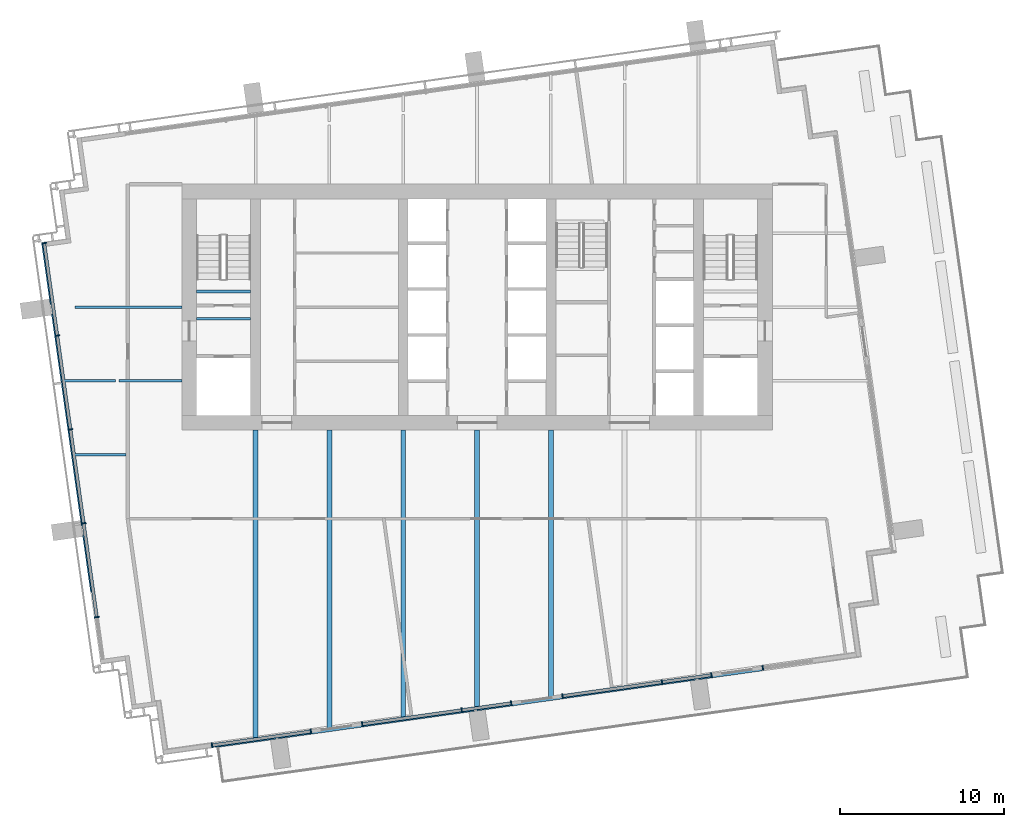
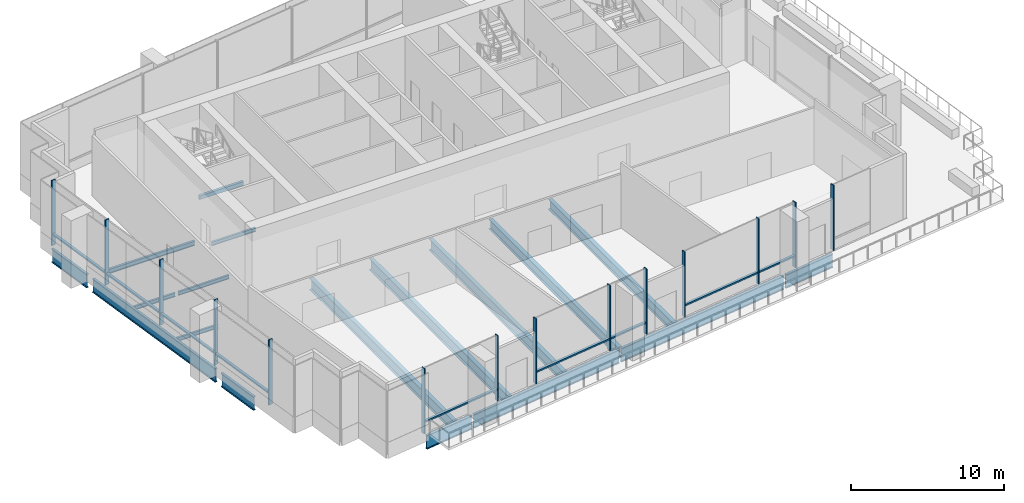
# One storey, part 2 of 14: 23 members, 18 beams, 5 elements without a shape of their own.
"""IFC4 building model written with IfcOpenShell, lengths in metres."""

import ifcopenshell
import ifcopenshell.guid

model = None  # the IFC model being written
_history = None  # IfcOwnerHistory: only IFC2X3 demands one
_inside = {}  # id of a spatial element -> (the spatial element, [elements in it])
_under = {}  # id of a project, library or spatial element -> (it, [spatial elements below it])
_declared = {}  # id of a project -> (the project, [libraries it declares])
_typed = {}  # id of a type object -> (the type object, [elements of that type])
_made_of = {}  # id of a material, layer set ... -> (it, [elements and type objects made of it])


def new_model(schema):
    """Start an empty IFC model of exactly this schema.

    Asked for "IFC4X3", IfcOpenShell would pick the latest addendum, in which some entities
    have other attributes; the version numbers below select the first issue.
    IFC2X3 requires an IfcOwnerHistory on every rooted entity: one is made here for all.
    """
    global model, _history
    if schema == "IFC4X3":
        model = ifcopenshell.file(schema_version=(4, 3, 0, 0))
    else:
        model = ifcopenshell.file(schema=schema)
    _inside.clear()
    _under.clear()
    _declared.clear()
    _typed.clear()
    _made_of.clear()
    _history = None
    if model.schema == "IFC2X3":
        org = make("IfcOrganization", Name="unknown")
        user = make(
            "IfcPersonAndOrganization",
            ThePerson=make("IfcPerson", FamilyName="unknown"),
            TheOrganization=org,
        )
        app = make(
            "IfcApplication",
            ApplicationDeveloper=org,
            Version="unknown",
            ApplicationFullName="unknown",
            ApplicationIdentifier="unknown",
        )
        _history = make(
            "IfcOwnerHistory",
            OwningUser=user,
            OwningApplication=app,
            ChangeAction="ADDED",
            CreationDate=0,
        )
    return model


def make(cls, **values):
    """One entity of the class cls with the attributes given. An attribute that is None is left unset."""
    return model.create_entity(
        cls, **{name: value for name, value in values.items() if value is not None}
    )


def rooted(cls, **values):
    """An entity with a GlobalId (a new one), such as an element, a storey or a relation."""
    return make(cls, GlobalId=ifcopenshell.guid.new(), OwnerHistory=_history, **values)


def si_unit(unit_type, name, prefix=None):
    """IfcSIUnit, for example si_unit("LENGTHUNIT", "METRE", prefix="MILLI")."""
    return make("IfcSIUnit", UnitType=unit_type, Prefix=prefix, Name=name)


def assignment(units):
    """IfcUnitAssignment: the units of a project."""
    return None if units is None else make("IfcUnitAssignment", Units=units)


def point(xyz):
    """IfcCartesianPoint."""
    return None if xyz is None else make("IfcCartesianPoint", Coordinates=xyz)


def direction(xyz):
    """IfcDirection."""
    return None if xyz is None else make("IfcDirection", DirectionRatios=xyz)


def frame(location, z_axis=None, x_axis=None):
    """IfcAxis2Placement3D, a coordinate frame: its origin and axes. An axis left out is left unset."""
    return make(
        "IfcAxis2Placement3D",
        Location=point(location),
        Axis=direction(z_axis),
        RefDirection=direction(x_axis),
    )


def frame_2d(location, x_axis=None):
    """IfcAxis2Placement2D, a coordinate frame in the plane: its origin and x axis."""
    return make(
        "IfcAxis2Placement2D", Location=point(location), RefDirection=direction(x_axis)
    )


def origin():
    """The frame at (0, 0, 0) with its axes left unset."""
    return frame((0.0, 0.0, 0.0))


def origin_2d():
    """The frame at (0, 0) in the plane with its x axis left unset."""
    return frame_2d((0.0, 0.0))


def place(relative_to, where):
    """IfcLocalPlacement: puts the frame where relative to a parent placement (None: the world)."""
    return make(
        "IfcLocalPlacement", PlacementRelTo=relative_to, RelativePlacement=where
    )


def context(
    kind, dimensions, precision=None, world=None, true_north=None, identifier=None
):
    """IfcGeometricRepresentationContext, for example the 3D "Model" context."""
    return make(
        "IfcGeometricRepresentationContext",
        ContextIdentifier=identifier,
        ContextType=kind,
        CoordinateSpaceDimension=dimensions,
        Precision=precision,
        WorldCoordinateSystem=world,
        TrueNorth=true_north,
    )


def subcontext(parent, identifier, kind, view, scale=None):
    """IfcGeometricRepresentationSubContext, for example "Body" below "Model"."""
    return make(
        "IfcGeometricRepresentationSubContext",
        ContextIdentifier=identifier,
        ContextType=kind,
        ParentContext=parent,
        TargetScale=scale,
        TargetView=view,
    )


def project(units=None, contexts=None):
    """IfcProject with its units and contexts."""
    return rooted(
        "IfcProject",
        Name="project",
        RepresentationContexts=contexts,
        UnitsInContext=assignment(units),
    )


def spatial(cls, under=None, at=None, **own):
    """A site, building, storey or space (cls), placed at a placement, below another one or the project."""
    s = rooted(cls, ObjectPlacement=at, **own)
    if under is not None:
        _under.setdefault(under.id(), (under, []))[1].append(s)
    return s


def profile(cls, at=None, kind="AREA", **sizes):
    """A parametric profile (cls). Its sizes go by their IFC names, for example OverallWidth=200.0."""
    return make(cls, ProfileType=kind, Position=at, **sizes)


def rectangle(**sizes):
    """IfcRectangleProfileDef."""
    return profile("IfcRectangleProfileDef", **sizes)


def i_section(**sizes):
    """IfcIShapeProfileDef."""
    return profile("IfcIShapeProfileDef", **sizes)


def extrude(swept, where, along, depth):
    """IfcExtrudedAreaSolid: the profile swept, set in the frame where, extruded along a direction by depth."""
    return make(
        "IfcExtrudedAreaSolid",
        SweptArea=swept,
        Position=where,
        ExtrudedDirection=direction(along),
        Depth=depth,
    )


def shape(context_of_items, identifier, shape_type, items):
    """IfcShapeRepresentation: the items that make up one representation, for example the "Body"."""
    return make(
        "IfcShapeRepresentation",
        ContextOfItems=context_of_items,
        RepresentationIdentifier=identifier,
        RepresentationType=shape_type,
        Items=items,
    )


def material(Name=None, Category=None):
    """IfcMaterial."""
    return make("IfcMaterial", Name=Name, Category=Category)


def layer(
    of_material, thickness, ventilated=None, Name=None, Category=None, Priority=None
):
    """IfcMaterialLayer: one layer of a wall or slab, of a material (None: an air gap)."""
    return make(
        "IfcMaterialLayer",
        Material=of_material,
        LayerThickness=thickness,
        IsVentilated=ventilated,
        Name=Name,
        Category=Category,
        Priority=Priority,
    )


def layer_set(layers, Name=None):
    """IfcMaterialLayerSet."""
    return make("IfcMaterialLayerSet", MaterialLayers=layers, LayerSetName=Name)


def material_profile(
    of_material, cross_section, Name=None, Category=None, Priority=None
):
    """IfcMaterialProfile: a cross section and its material."""
    return make(
        "IfcMaterialProfile",
        Name=Name,
        Material=of_material,
        Profile=cross_section,
        Priority=Priority,
        Category=Category,
    )


def profile_set(profiles, Name=None, composite=None):
    """IfcMaterialProfileSet."""
    return make(
        "IfcMaterialProfileSet",
        Name=Name,
        MaterialProfiles=profiles,
        CompositeProfile=composite,
    )


def made_of(thing, what):
    """Note that an element or type object is made of a material, layer set ...; save() writes the relation."""
    if what is not None:
        _made_of.setdefault(what.id(), (what, []))[1].append(thing)
    return thing


def type_object(cls, material=None, **own):
    """A type object (cls), such as IfcWallType, which elements share."""
    return made_of(rooted(cls, **own), material)


def element(
    cls,
    number,
    at=None,
    inside=None,
    cuts=None,
    type_object=None,
    material=None,
    context=None,
    identifier="Body",
    shape_type=None,
    held_by="IfcProductDefinitionShape",
    body=None,
    shapes=None,
    **own,
):
    """One element of the class cls, such as IfcWall. Its Tag is "e" and its number.

    at: its placement. inside: the storey or other place that contains it. cuts: it is an
    opening in that element (IfcRelVoidsElement). A single representation is given by context,
    identifier, shape_type and body (its items); several are given by shapes. held_by: the class
    of the entity that holds the representations. save() writes the other relations.
    """
    e = rooted(cls, Tag="e%d" % number, ObjectPlacement=at, **own)
    if body is not None:
        shapes = [shape(context, identifier, shape_type, body)]
    if shapes is not None:
        e.Representation = make(held_by, Representations=shapes)
    if inside is not None:
        _inside.setdefault(inside.id(), (inside, []))[1].append(e)
    if cuts is not None:
        rooted(
            "IfcRelVoidsElement", RelatingBuildingElement=cuts, RelatedOpeningElement=e
        )
    if type_object is not None:
        _typed.setdefault(type_object.id(), (type_object, []))[1].append(e)
    return made_of(e, material)


def aggregate(whole, parts):
    """IfcRelAggregates: a whole, such as a stair, and the parts it consists of."""
    return rooted("IfcRelAggregates", RelatingObject=whole, RelatedObjects=parts)


def save(model, path):
    """Write the relations noted so far, then the file.

    IfcRelAggregates (storeys below a building ...), IfcRelContainedInSpatialStructure (elements
    in a storey), IfcRelDefinesByType, IfcRelAssociatesMaterial and IfcRelDeclares: one each for
    every whole, place, type object, material and project.
    """
    for whole, parts in _under.values():
        aggregate(whole, parts)
    for where, things in _inside.values():
        rooted(
            "IfcRelContainedInSpatialStructure",
            RelatedElements=things,
            RelatingStructure=where,
        )
    for kind, things in _typed.values():
        rooted("IfcRelDefinesByType", RelatedObjects=things, RelatingType=kind)
    for what, things in _made_of.values():
        rooted("IfcRelAssociatesMaterial", RelatedObjects=things, RelatingMaterial=what)
    for by, libraries in _declared.values():
        rooted("IfcRelDeclares", RelatingContext=by, RelatedDefinitions=libraries)
    model.write(path)


model = new_model("IFC4")

# Units and contexts
model_context = context("Model", 3, precision=1e-05, world=origin(), true_north=direction((0.0, 1.0)))
body_context = subcontext(model_context, "Body", "Model", "MODEL_VIEW")
ifc_project = project(units=[si_unit("LENGTHUNIT", "METRE"), si_unit("AREAUNIT", "SQUARE_METRE"), si_unit("VOLUMEUNIT", "CUBIC_METRE"), si_unit("PLANEANGLEUNIT", "RADIAN"), si_unit("MASSUNIT", "GRAM", prefix="KILO")], contexts=[model_context])

# Site, building, storey
site_placement = place(None, origin())
site = spatial("IfcSite", under=ifc_project, at=site_placement, CompositionType="ELEMENT")
building_placement = place(site_placement, origin())
building = spatial("IfcBuilding", under=site, at=building_placement, Name="Rattan Terrace Tower", CompositionType="ELEMENT")
storey_placement = place(building_placement, frame((0.0, 0.0, 249.699951171875)))
storey = spatial("IfcBuildingStorey", under=building, at=storey_placement, Name="L57", CompositionType="ELEMENT", Elevation=249.699951171875)

# Beams
ifc_material_1 = material(Name="Concrete C40/50", Category="concrete")
ifc_material_profile_1 = material_profile(ifc_material_1, rectangle(XDim=0.199951171875, YDim=0.300048828125, at=origin_2d()), Name="RC 200x300")
ifc_profile_set_1 = profile_set([ifc_material_profile_1], Name="Concrete C40/50")
beam_type_1 = type_object("IfcBeamType", Name="Core landing beam RC 200x300", PredefinedType="BEAM", material=ifc_profile_set_1)
beam_1_placement = place(storey_placement, frame((-17.10009765625, 0.949951171875, 2.35009765625), z_axis=(1.0, 0.0, 0.0), x_axis=(0.0, 1.0, 0.0)))
element("IfcBeam", 1, at=beam_1_placement, inside=storey, type_object=beam_type_1, Name="st-S1-L57 landing 2 edge beam", PredefinedType="BEAM", context=body_context, shape_type="SweptSolid", body=[
    extrude(rectangle(XDim=0.199951171875, YDim=0.300048828125, at=origin_2d()), origin(), (0.0, 0.0, 1.0), 3.300048828125),
])
ifc_material_2 = material(Name="Steel S460", Category="steel")
ifc_material_profile_2 = material_profile(ifc_material_2, i_section(OverallWidth=0.179931640625, OverallDepth=1.10009765625, WebThickness=0.01611328125, FlangeThickness=0.050048828125, at=origin_2d()), Name="PG 1100x180-16-50")
ifc_profile_set_2 = profile_set([ifc_material_profile_2], Name="Steel S460")
beam_type_2 = type_object("IfcBeamType", Name="Frame edge girder PG 1100x180-16-50", PredefinedType="SPANDREL", material=ifc_profile_set_2)
beam_2_placement = place(storey_placement, frame((-12.27001953125, -26.251953125, -0.75), z_axis=(-0.990303126852, -0.138923421161, 0.0), x_axis=(0.138923421161, -0.990303126852, 0.0)))
element("IfcBeam", 2, at=beam_2_placement, inside=storey, type_object=beam_type_2, Name="gdr-L57-001", PredefinedType="SPANDREL", context=body_context, shape_type="SweptSolid", body=[
    extrude(i_section(OverallWidth=0.179931640625, OverallDepth=1.10009765625, WebThickness=0.01611328125, FlangeThickness=0.050048828125, at=origin_2d()), origin(), (0.0, 0.0, 1.0), 3.736083984375),
])
beam_3_placement = place(storey_placement, frame((-12.10888671875, -26.22900390625, -0.75), z_axis=(0.990251206965, 0.139293026043, 0.0), x_axis=(-0.139293026043, 0.990251206965, 0.0)))
element("IfcBeam", 3, at=beam_3_placement, inside=storey, type_object=beam_type_2, Name="gdr-L57-002", PredefinedType="SPANDREL", context=body_context, shape_type="SweptSolid", body=[
    extrude(i_section(OverallWidth=0.179931640625, OverallDepth=1.10009765625, WebThickness=0.01611328125, FlangeThickness=0.050048828125, at=origin_2d()), origin(), (0.0, 0.0, 1.0), 12.04638671875),
])
beam_4_placement = place(storey_placement, frame((-0.012939453125, -24.528076171875, -0.75), z_axis=(0.990256109999, 0.139258165326, 0.0), x_axis=(-0.139258165326, 0.990256109999, 0.0)))
element("IfcBeam", 4, at=beam_4_placement, inside=storey, type_object=beam_type_2, Name="gdr-L57-003", PredefinedType="SPANDREL", context=body_context, shape_type="SweptSolid", body=[
    extrude(i_section(OverallWidth=0.179931640625, OverallDepth=1.10009765625, WebThickness=0.01611328125, FlangeThickness=0.050048828125, at=origin_2d()), origin(), (0.0, 0.0, 1.0), 13.464111328125),
])
beam_5_placement = place(storey_placement, frame((13.487060546875, -22.6298828125, -0.75), z_axis=(0.990289742729, 0.139018795299, 0.0), x_axis=(-0.139018795299, 0.990289742729, 0.0)))
element("IfcBeam", 5, at=beam_5_placement, inside=storey, type_object=beam_type_2, Name="gdr-L57-004", PredefinedType="SPANDREL", context=body_context, shape_type="SweptSolid", body=[
    extrude(i_section(OverallWidth=0.179931640625, OverallDepth=1.10009765625, WebThickness=0.01611328125, FlangeThickness=0.050048828125, at=origin_2d()), origin(), (0.0, 0.0, 1.0), 3.898681640625),
])
beam_6_placement = place(storey_placement, frame((-23.966064453125, -13.919921875, -0.75), z_axis=(0.138942517072, -0.990300447819, 0.0), x_axis=(0.990300447819, 0.138942517072, 0.0)))
element("IfcBeam", 6, at=beam_6_placement, inside=storey, type_object=beam_type_2, Name="gdr-L57-005", PredefinedType="SPANDREL", context=body_context, shape_type="SweptSolid", body=[
    extrude(i_section(OverallWidth=0.179931640625, OverallDepth=1.10009765625, WebThickness=0.01611328125, FlangeThickness=0.050048828125, at=origin_2d()), origin(), (0.0, 0.0, 1.0), 3.461669921875),
])
beam_7_placement = place(storey_placement, frame((-25.864990234375, -0.419921875, -0.75), z_axis=(0.139319439234, -0.990247491212, 0.0), x_axis=(0.990247491212, 0.139319439234, 0.0)))
element("IfcBeam", 7, at=beam_7_placement, inside=storey, type_object=beam_type_2, Name="gdr-L57-008", PredefinedType="SPANDREL", context=body_context, shape_type="SweptSolid", body=[
    extrude(i_section(OverallWidth=0.179931640625, OverallDepth=1.10009765625, WebThickness=0.01611328125, FlangeThickness=0.050048828125, at=origin_2d()), origin(), (0.0, 0.0, 1.0), 13.027099609375),
])
beam_8_placement = place(storey_placement, frame((-25.948974609375, 0.179931640625, -0.75), z_axis=(-0.139139511538, 0.990272788846, 0.0), x_axis=(-0.990272788846, -0.139139511538, 0.0)))
element("IfcBeam", 8, at=beam_8_placement, inside=storey, type_object=beam_type_2, Name="gdr-L57-009", PredefinedType="SPANDREL", context=body_context, shape_type="SweptSolid", body=[
    extrude(i_section(OverallWidth=0.179931640625, OverallDepth=1.10009765625, WebThickness=0.01611328125, FlangeThickness=0.050048828125, at=origin_2d()), origin(), (0.0, 0.0, 1.0), 3.73046875),
])
ifc_material_3 = material(Name="Steel S355", Category="steel")
ifc_material_profile_3 = material_profile(ifc_material_3, i_section(OverallWidth=0.300048828125, OverallDepth=0.800048828125, WebThickness=0.017578125, FlangeThickness=0.032958984375, FilletRadius=0.030029296875, at=origin_2d()), Name="HE 800 B")
ifc_profile_set_3 = profile_set([ifc_material_profile_3], Name="Steel S355")
beam_type_3 = type_object("IfcBeamType", Name="Frame floor beam HE 800 B", PredefinedType="JOIST", material=ifc_profile_set_3)
beam_9_placement = place(storey_placement, frame((0.0, -24.4140625, -0.599853515625), z_axis=(0.0, 1.0, 0.0), x_axis=(-1.0, 0.0, 0.0)))
element("IfcBeam", 9, at=beam_9_placement, inside=storey, type_object=beam_type_3, Name="bm-L57-006", PredefinedType="JOIST", context=body_context, shape_type="SweptSolid", body=[
    extrude(i_section(OverallWidth=0.300048828125, OverallDepth=0.800048828125, WebThickness=0.017578125, FlangeThickness=0.032958984375, FilletRadius=0.030029296875, at=origin_2d()), origin(), (0.0, 0.0, 1.0), 16.9140625),
])
beam_10_placement = place(storey_placement, frame((4.5, -23.781005859375, -0.599853515625), z_axis=(0.0, 1.0, 0.0), x_axis=(-1.0, 0.0, 0.0)))
element("IfcBeam", 10, at=beam_10_placement, inside=storey, type_object=beam_type_3, Name="bm-L57-007", PredefinedType="JOIST", context=body_context, shape_type="SweptSolid", body=[
    extrude(i_section(OverallWidth=0.300048828125, OverallDepth=0.800048828125, WebThickness=0.017578125, FlangeThickness=0.032958984375, FilletRadius=0.030029296875, at=origin_2d()), origin(), (0.0, 0.0, 1.0), 16.281005859375),
])
ifc_material_4 = material(Name="Steel S355", Category="steel")
ifc_material_profile_4 = material_profile(ifc_material_4, i_section(OverallWidth=0.300048828125, OverallDepth=0.89990234375, WebThickness=0.0185546875, FlangeThickness=0.034912109375, FilletRadius=0.030029296875, at=origin_2d()), Name="HE 900 B")
ifc_profile_set_4 = profile_set([ifc_material_profile_4], Name="Steel S355")
beam_type_4 = type_object("IfcBeamType", Name="Frame floor beam HE 900 B", PredefinedType="JOIST", material=ifc_profile_set_4)
beam_11_placement = place(storey_placement, frame((-13.5, -26.31298828125, -0.64990234375), z_axis=(0.0, 1.0, 0.0), x_axis=(-1.0, 0.0, 0.0)))
element("IfcBeam", 11, at=beam_11_placement, inside=storey, type_object=beam_type_4, Name="bm-L57-003", PredefinedType="JOIST", context=body_context, shape_type="SweptSolid", body=[
    extrude(i_section(OverallWidth=0.300048828125, OverallDepth=0.89990234375, WebThickness=0.0185546875, FlangeThickness=0.034912109375, FilletRadius=0.030029296875, at=origin_2d()), origin(), (0.0, 0.0, 1.0), 18.81298828125),
])
beam_12_placement = place(storey_placement, frame((-9.0, -25.679931640625, -0.64990234375), z_axis=(0.0, 1.0, 0.0), x_axis=(-1.0, 0.0, 0.0)))
element("IfcBeam", 12, at=beam_12_placement, inside=storey, type_object=beam_type_4, Name="bm-L57-004", PredefinedType="JOIST", context=body_context, shape_type="SweptSolid", body=[
    extrude(i_section(OverallWidth=0.300048828125, OverallDepth=0.89990234375, WebThickness=0.0185546875, FlangeThickness=0.034912109375, FilletRadius=0.030029296875, at=origin_2d()), origin(), (0.0, 0.0, 1.0), 18.179931640625),
])
beam_13_placement = place(storey_placement, frame((-4.5, -25.047119140625, -0.64990234375), z_axis=(0.0, 1.0, 0.0), x_axis=(-1.0, 0.0, 0.0)))
element("IfcBeam", 13, at=beam_13_placement, inside=storey, type_object=beam_type_4, Name="bm-L57-005", PredefinedType="JOIST", context=body_context, shape_type="SweptSolid", body=[
    extrude(i_section(OverallWidth=0.300048828125, OverallDepth=0.89990234375, WebThickness=0.0185546875, FlangeThickness=0.034912109375, FilletRadius=0.030029296875, at=origin_2d()), origin(), (0.0, 0.0, 1.0), 17.547119140625),
])
ifc_material_5 = material(Name="Steel S355", Category="steel")
ifc_material_profile_5 = material_profile(ifc_material_5, i_section(OverallWidth=0.14990234375, OverallDepth=0.300048828125, WebThickness=0.007080078125, FlangeThickness=0.0107421875, FilletRadius=0.014892578125, at=origin_2d()), Name="IPE 300")
ifc_profile_set_5 = profile_set([ifc_material_profile_5], Name="Steel S355")
beam_type_5 = type_object("IfcBeamType", Name="Frame floor beam IPE 300", PredefinedType="JOIST", material=ifc_profile_set_5)
beam_14_placement = place(storey_placement, frame((-17.10009765625, -0.695068359375, -0.349853515625), z_axis=(1.0, 0.0, 0.0), x_axis=(0.0, 1.0, 0.0)))
element("IfcBeam", 14, at=beam_14_placement, inside=storey, type_object=beam_type_5, Name="bm-L57-001", PredefinedType="JOIST", context=body_context, shape_type="SweptSolid", body=[
    extrude(i_section(OverallWidth=0.14990234375, OverallDepth=0.300048828125, WebThickness=0.007080078125, FlangeThickness=0.0107421875, FilletRadius=0.014892578125, at=origin_2d()), origin(), (0.0, 0.0, 1.0), 3.300048828125),
])
beam_15_placement = place(storey_placement, frame((-24.555908203125, -9.0, -0.349853515625), z_axis=(1.0, 0.0, 0.0), x_axis=(0.0, 1.0, 0.0)))
element("IfcBeam", 15, at=beam_15_placement, inside=storey, type_object=beam_type_5, Name="bm-L57-010", PredefinedType="JOIST", context=body_context, shape_type="SweptSolid", body=[
    extrude(i_section(OverallWidth=0.14990234375, OverallDepth=0.300048828125, WebThickness=0.007080078125, FlangeThickness=0.0107421875, FilletRadius=0.014892578125, at=origin_2d()), origin(), (0.0, 0.0, 1.0), 3.140869140625),
])
beam_16_placement = place(storey_placement, frame((-25.18994140625, -4.5, -0.349853515625), z_axis=(1.0, 0.0, 0.0), x_axis=(0.0, 1.0, 0.0)))
element("IfcBeam", 16, at=beam_16_placement, inside=storey, type_object=beam_type_5, Name="bm-L57-011", PredefinedType="JOIST", context=body_context, shape_type="SweptSolid", body=[
    extrude(i_section(OverallWidth=0.14990234375, OverallDepth=0.300048828125, WebThickness=0.007080078125, FlangeThickness=0.0107421875, FilletRadius=0.014892578125, at=origin_2d()), origin(), (0.0, 0.0, 1.0), 3.141845703125),
])
beam_17_placement = place(storey_placement, frame((-21.844970703125, -4.5, -0.349853515625), z_axis=(1.0, 0.0, 0.0), x_axis=(0.0, 1.0, 0.0)))
element("IfcBeam", 17, at=beam_17_placement, inside=storey, type_object=beam_type_5, Name="bm-L57-012", PredefinedType="JOIST", context=body_context, shape_type="SweptSolid", body=[
    extrude(i_section(OverallWidth=0.14990234375, OverallDepth=0.300048828125, WebThickness=0.007080078125, FlangeThickness=0.0107421875, FilletRadius=0.014892578125, at=origin_2d()), origin(), (0.0, 0.0, 1.0), 3.844970703125),
])
ifc_material_6 = material(Name="Steel S355", Category="steel")
ifc_material_profile_6 = material_profile(ifc_material_6, i_section(OverallWidth=0.169921875, OverallDepth=0.360107421875, WebThickness=0.008056640625, FlangeThickness=0.0126953125, FilletRadius=0.01806640625, at=origin_2d()), Name="IPE 360")
ifc_profile_set_6 = profile_set([ifc_material_profile_6], Name="Steel S355")
beam_type_6 = type_object("IfcBeamType", Name="Frame floor beam IPE 360", PredefinedType="JOIST", material=ifc_profile_set_6)
beam_18_placement = place(storey_placement, frame((-24.510009765625, 0.0, -0.3798828125), z_axis=(1.0, 0.0, 0.0), x_axis=(0.0, 1.0, 0.0)))
element("IfcBeam", 18, at=beam_18_placement, inside=storey, type_object=beam_type_6, Name="bm-L57-014", PredefinedType="JOIST", context=body_context, shape_type="SweptSolid", body=[
    extrude(i_section(OverallWidth=0.169921875, OverallDepth=0.360107421875, WebThickness=0.008056640625, FlangeThickness=0.0126953125, FilletRadius=0.01806640625, at=origin_2d()), origin(), (0.0, 0.0, 1.0), 6.510009765625),
])

# Curtain wall, members
ifc_material_7 = material(Name="Steel fins, aluminium and glass", Category="steel")
ifc_layer = layer(ifc_material_7, 0.300048828125)
ifc_layer_set = layer_set([ifc_layer], Name="Sky Lobby Stick Curtain Wall")
curtain_wall_type = type_object("IfcCurtainWallType", Name="Sky Lobby Stick Curtain Wall", PredefinedType="NOTDEFINED", material=ifc_layer_set)
curtain_wall_1_placement = place(storey_placement, origin())
curtain_wall_1 = element("IfcCurtainWall", 19, at=curtain_wall_1_placement, inside=storey, type_object=curtain_wall_type, Name="Sky lobby curtain wall L57-4", PredefinedType="NOTDEFINED")
ifc_material_8 = material(Name="Steel S355", Category="steel")
ifc_material_profile_7 = material_profile(ifc_material_8, rectangle(XDim=0.080078125, YDim=0.300048828125, at=origin_2d()), Name="Steel S355 80x300")
ifc_profile_set_7 = profile_set([ifc_material_profile_7], Name="Steel S355")
member_type_1 = type_object("IfcMemberType", Name="Sky Lobby CW Fin 80x300", PredefinedType="MULLION", material=ifc_profile_set_7)
member_1_placement = place(storey_placement, frame((-26.390869140625, 3.903564453125, 0.0), z_axis=(0.0, 0.0, 1.0), x_axis=(0.139191775431, -0.990265444036, 0.0)))
member_1 = element("IfcMember", 20, at=member_1_placement, type_object=member_type_1, Name="Mullion cwl-L57-004.1", PredefinedType="MULLION", context=body_context, shape_type="SweptSolid", body=[
    extrude(rectangle(XDim=0.080078125, YDim=0.300048828125, at=origin_2d()), origin(), (0.0, 0.0, 1.0), 5.199951171875),
])
member_2_placement = place(storey_placement, frame((-25.598388671875, -1.734130859375, 0.0), z_axis=(0.0, 0.0, 1.0), x_axis=(0.139191775431, -0.990265444036, 0.0)))
member_2 = element("IfcMember", 21, at=member_2_placement, type_object=member_type_1, Name="Mullion cwl-L57-004.2", PredefinedType="MULLION", context=body_context, shape_type="SweptSolid", body=[
    extrude(rectangle(XDim=0.080078125, YDim=0.300048828125, at=origin_2d()), origin(), (0.0, 0.0, 1.0), 5.199951171875),
])
member_3_placement = place(storey_placement, frame((-24.794189453125, -7.455810546875, 0.0), z_axis=(0.0, 0.0, 1.0), x_axis=(0.139191775431, -0.990265444036, 0.0)))
member_3 = element("IfcMember", 22, at=member_3_placement, type_object=member_type_1, Name="Mullion cwl-L57-004.3", PredefinedType="MULLION", context=body_context, shape_type="SweptSolid", body=[
    extrude(rectangle(XDim=0.080078125, YDim=0.300048828125, at=origin_2d()), origin(), (0.0, 0.0, 1.0), 5.199951171875),
])
member_4_placement = place(storey_placement, frame((-23.989990234375, -13.177490234375, 0.0), z_axis=(0.0, 0.0, 1.0), x_axis=(0.139191775431, -0.990265444036, 0.0)))
member_4 = element("IfcMember", 23, at=member_4_placement, type_object=member_type_1, Name="Mullion cwl-L57-004.4", PredefinedType="MULLION", context=body_context, shape_type="SweptSolid", body=[
    extrude(rectangle(XDim=0.080078125, YDim=0.300048828125, at=origin_2d()), origin(), (0.0, 0.0, 1.0), 5.199951171875),
])
member_5_placement = place(storey_placement, frame((-23.185546875, -18.8994140625, 0.0), z_axis=(0.0, 0.0, 1.0), x_axis=(0.139191775431, -0.990265444036, 0.0)))
member_5 = element("IfcMember", 24, at=member_5_placement, type_object=member_type_1, Name="Mullion cwl-L57-004.5", PredefinedType="MULLION", context=body_context, shape_type="SweptSolid", body=[
    extrude(rectangle(XDim=0.080078125, YDim=0.300048828125, at=origin_2d()), origin(), (0.0, 0.0, 1.0), 5.199951171875),
])

curtain_wall_2_placement = place(storey_placement, origin())
curtain_wall_2 = element("IfcCurtainWall", 25, at=curtain_wall_2_placement, inside=storey, type_object=curtain_wall_type, Name="Sky lobby curtain wall L57-5", PredefinedType="NOTDEFINED")
member_6_placement = place(storey_placement, frame((-16.16015625, -26.716064453125, 0.0), z_axis=(0.0, 0.0, 1.0), x_axis=(0.990265894013, 0.139188574079, 0.0)))
member_6 = element("IfcMember", 26, at=member_6_placement, type_object=member_type_1, Name="Mullion cwl-L57-005.1", PredefinedType="MULLION", context=body_context, shape_type="SweptSolid", body=[
    extrude(rectangle(XDim=0.080078125, YDim=0.300048828125, at=origin_2d()), origin(), (0.0, 0.0, 1.0), 5.199951171875),
])
member_7_placement = place(storey_placement, frame((-10.13330078125, -25.868896484375, 0.0), z_axis=(0.0, 0.0, 1.0), x_axis=(0.990265894013, 0.139188574079, 0.0)))
member_7 = element("IfcMember", 27, at=member_7_placement, type_object=member_type_1, Name="Mullion cwl-L57-005.2", PredefinedType="MULLION", context=body_context, shape_type="SweptSolid", body=[
    extrude(rectangle(XDim=0.080078125, YDim=0.300048828125, at=origin_2d()), origin(), (0.0, 0.0, 1.0), 5.199951171875),
])

curtain_wall_3_placement = place(storey_placement, origin())
curtain_wall_3 = element("IfcCurtainWall", 28, at=curtain_wall_3_placement, inside=storey, type_object=curtain_wall_type, Name="Sky lobby curtain wall L57-6", PredefinedType="NOTDEFINED")
member_8_placement = place(storey_placement, frame((-7.0009765625, -25.4287109375, 0.0), z_axis=(0.0, 0.0, 1.0), x_axis=(0.990265894013, 0.139188574079, 0.0)))
member_8 = element("IfcMember", 29, at=member_8_placement, type_object=member_type_1, Name="Mullion cwl-L57-006.1", PredefinedType="MULLION", context=body_context, shape_type="SweptSolid", body=[
    extrude(rectangle(XDim=0.080078125, YDim=0.300048828125, at=origin_2d()), origin(), (0.0, 0.0, 1.0), 5.199951171875),
])
member_9_placement = place(storey_placement, frame((-0.934814453125, -24.576171875, 0.0), z_axis=(0.0, 0.0, 1.0), x_axis=(0.990265894013, 0.139188574079, 0.0)))
member_9 = element("IfcMember", 30, at=member_9_placement, type_object=member_type_1, Name="Mullion cwl-L57-006.2", PredefinedType="MULLION", context=body_context, shape_type="SweptSolid", body=[
    extrude(rectangle(XDim=0.080078125, YDim=0.300048828125, at=origin_2d()), origin(), (0.0, 0.0, 1.0), 5.199951171875),
])
member_10_placement = place(storey_placement, frame((2.07861328125, -24.152587890625, 0.0), z_axis=(0.0, 0.0, 1.0), x_axis=(0.990265894013, 0.139188574079, 0.0)))
member_10 = element("IfcMember", 31, at=member_10_placement, type_object=member_type_1, Name="Mullion cwl-L57-006.3", PredefinedType="MULLION", context=body_context, shape_type="SweptSolid", body=[
    extrude(rectangle(XDim=0.080078125, YDim=0.300048828125, at=origin_2d()), origin(), (0.0, 0.0, 1.0), 5.199951171875),
])

curtain_wall_4_placement = place(storey_placement, origin())
curtain_wall_4 = element("IfcCurtainWall", 32, at=curtain_wall_4_placement, inside=storey, type_object=curtain_wall_type, Name="Sky lobby curtain wall L57-7", PredefinedType="NOTDEFINED")
member_11_placement = place(storey_placement, frame((5.2109375, -23.712158203125, 0.0), z_axis=(0.0, 0.0, 1.0), x_axis=(0.990265894013, 0.139188574079, 0.0)))
member_11 = element("IfcMember", 33, at=member_11_placement, type_object=member_type_1, Name="Mullion cwl-L57-007.1", PredefinedType="MULLION", context=body_context, shape_type="SweptSolid", body=[
    extrude(rectangle(XDim=0.080078125, YDim=0.300048828125, at=origin_2d()), origin(), (0.0, 0.0, 1.0), 5.199951171875),
])
member_12_placement = place(storey_placement, frame((11.27734375, -22.859619140625, 0.0), z_axis=(0.0, 0.0, 1.0), x_axis=(0.990265894013, 0.139188574079, 0.0)))
member_12 = element("IfcMember", 34, at=member_12_placement, type_object=member_type_1, Name="Mullion cwl-L57-007.2", PredefinedType="MULLION", context=body_context, shape_type="SweptSolid", body=[
    extrude(rectangle(XDim=0.080078125, YDim=0.300048828125, at=origin_2d()), origin(), (0.0, 0.0, 1.0), 5.199951171875),
])
member_13_placement = place(storey_placement, frame((14.29052734375, -22.43603515625, 0.0), z_axis=(0.0, 0.0, 1.0), x_axis=(0.990265894013, 0.139188574079, 0.0)))
member_13 = element("IfcMember", 35, at=member_13_placement, type_object=member_type_1, Name="Mullion cwl-L57-007.3", PredefinedType="MULLION", context=body_context, shape_type="SweptSolid", body=[
    extrude(rectangle(XDim=0.080078125, YDim=0.300048828125, at=origin_2d()), origin(), (0.0, 0.0, 1.0), 5.199951171875),
])

# Curtain wall, member
curtain_wall_5_placement = place(storey_placement, origin())
curtain_wall_5 = element("IfcCurtainWall", 36, at=curtain_wall_5_placement, inside=storey, type_object=curtain_wall_type, Name="Sky lobby curtain wall L57-8", PredefinedType="NOTDEFINED")
member_14_placement = place(storey_placement, frame((17.4228515625, -21.995849609375, 0.0), z_axis=(0.0, 0.0, 1.0), x_axis=(0.990265894013, 0.139188574079, 0.0)))
member_14 = element("IfcMember", 37, at=member_14_placement, type_object=member_type_1, Name="Mullion cwl-L57-008.1", PredefinedType="MULLION", context=body_context, shape_type="SweptSolid", body=[
    extrude(rectangle(XDim=0.080078125, YDim=0.300048828125, at=origin_2d()), origin(), (0.0, 0.0, 1.0), 5.199951171875),
])
aggregate(curtain_wall_5, [member_14])

# Member
ifc_material_9 = material(Name="Aluminium", Category="aluminium")
ifc_material_profile_8 = material_profile(ifc_material_9, rectangle(XDim=0.199951171875, YDim=0.1201171875, at=origin_2d()), Name="Aluminium 200x120")
ifc_profile_set_8 = profile_set([ifc_material_profile_8], Name="Aluminium")
member_type_2 = type_object("IfcMemberType", Name="Sky Lobby CW Transom 200x120", PredefinedType="USERDEFINED", material=ifc_profile_set_8)
member_15_placement = place(storey_placement, frame((-26.38525390625, 3.864013671875, 0.900146484375), z_axis=(0.139180192835, -0.990267072018, 0.0), x_axis=(0.990267072018, 0.139180192835, 0.0)))
member_15 = element("IfcMember", 38, at=member_15_placement, type_object=member_type_2, Name="Transom cwl-L57-004.1", ObjectType="TRANSOM", PredefinedType="USERDEFINED", context=body_context, shape_type="SweptSolid", body=[
    extrude(rectangle(XDim=0.199951171875, YDim=0.1201171875, at=origin_2d()), origin(), (0.0, 0.0, 1.0), 5.61328125),
])

member_16_placement = place(storey_placement, frame((-25.5927734375, -1.773681640625, 0.900146484375), z_axis=(0.139165547557, -0.990269130274, 0.0), x_axis=(0.990269130274, 0.139165547557, 0.0)))
member_16 = element("IfcMember", 39, at=member_16_placement, type_object=member_type_2, Name="Transom cwl-L57-004.2", ObjectType="TRANSOM", PredefinedType="USERDEFINED", context=body_context, shape_type="SweptSolid", body=[
    extrude(rectangle(XDim=0.199951171875, YDim=0.1201171875, at=origin_2d()), origin(), (0.0, 0.0, 1.0), 5.697998046875),
])

member_17_placement = place(storey_placement, frame((-24.78857421875, -7.495361328125, 0.900146484375), z_axis=(0.139207563905, -0.990263224679, 0.0), x_axis=(0.990263224679, 0.139207563905, 0.0)))
member_17 = element("IfcMember", 40, at=member_17_placement, type_object=member_type_2, Name="Transom cwl-L57-004.3", ObjectType="TRANSOM", PredefinedType="USERDEFINED", context=body_context, shape_type="SweptSolid", body=[
    extrude(rectangle(XDim=0.199951171875, YDim=0.1201171875, at=origin_2d()), origin(), (0.0, 0.0, 1.0), 5.697998046875),
])

member_18_placement = place(storey_placement, frame((-23.984375, -13.21728515625, 0.900146484375), z_axis=(0.139207563905, -0.990263224679, 0.0), x_axis=(0.990263224679, 0.139207563905, 0.0)))
member_18 = element("IfcMember", 41, at=member_18_placement, type_object=member_type_2, Name="Transom cwl-L57-004.4", ObjectType="TRANSOM", PredefinedType="USERDEFINED", context=body_context, shape_type="SweptSolid", body=[
    extrude(rectangle(XDim=0.199951171875, YDim=0.1201171875, at=origin_2d()), origin(), (0.0, 0.0, 1.0), 5.697998046875),
])

aggregate(curtain_wall_1, [member_1, member_2, member_3, member_4, member_5, member_15, member_16, member_17, member_18])

member_19_placement = place(storey_placement, frame((-16.120361328125, -26.71044921875, 0.900146484375), z_axis=(0.990266473562, 0.139184450781, 0.0), x_axis=(-0.139184450781, 0.990266473562, 0.0)))
member_19 = element("IfcMember", 42, at=member_19_placement, type_object=member_type_2, Name="Transom cwl-L57-005.1", ObjectType="TRANSOM", PredefinedType="USERDEFINED", context=body_context, shape_type="SweptSolid", body=[
    extrude(rectangle(XDim=0.199951171875, YDim=0.1201171875, at=origin_2d()), origin(), (0.0, 0.0, 1.0), 6.005859375),
])

aggregate(curtain_wall_2, [member_6, member_7, member_19])

member_20_placement = place(storey_placement, frame((-6.96142578125, -25.423095703125, 0.900146484375), z_axis=(0.990265190671, 0.139193577957, 0.0), x_axis=(-0.139193577957, 0.990265190671, 0.0)))
member_20 = element("IfcMember", 43, at=member_20_placement, type_object=member_type_2, Name="Transom cwl-L57-006.1", ObjectType="TRANSOM", PredefinedType="USERDEFINED", context=body_context, shape_type="SweptSolid", body=[
    extrude(rectangle(XDim=0.199951171875, YDim=0.1201171875, at=origin_2d()), origin(), (0.0, 0.0, 1.0), 6.0458984375),
])

member_21_placement = place(storey_placement, frame((-0.89501953125, -24.570556640625, 0.900146484375), z_axis=(0.990256933913, 0.1392523064, 0.0), x_axis=(-0.1392523064, 0.990256933913, 0.0)))
member_21 = element("IfcMember", 44, at=member_21_placement, type_object=member_type_2, Name="Transom cwl-L57-006.2", ObjectType="TRANSOM", PredefinedType="USERDEFINED", context=body_context, shape_type="SweptSolid", body=[
    extrude(rectangle(XDim=0.199951171875, YDim=0.1201171875, at=origin_2d()), origin(), (0.0, 0.0, 1.0), 2.962890625),
])

aggregate(curtain_wall_3, [member_8, member_9, member_10, member_20, member_21])

member_22_placement = place(storey_placement, frame((5.25048828125, -23.706787109375, 0.900146484375), z_axis=(0.990265190671, 0.139193577957, 0.0), x_axis=(-0.139193577957, 0.990265190671, 0.0)))
member_22 = element("IfcMember", 45, at=member_22_placement, type_object=member_type_2, Name="Transom cwl-L57-007.1", ObjectType="TRANSOM", PredefinedType="USERDEFINED", context=body_context, shape_type="SweptSolid", body=[
    extrude(rectangle(XDim=0.199951171875, YDim=0.1201171875, at=origin_2d()), origin(), (0.0, 0.0, 1.0), 6.0458984375),
])

member_23_placement = place(storey_placement, frame((11.31689453125, -22.85400390625, 0.900146484375), z_axis=(0.99026829304, 0.139171504988, 0.0), x_axis=(-0.139171504988, 0.99026829304, 0.0)))
member_23 = element("IfcMember", 46, at=member_23_placement, type_object=member_type_2, Name="Transom cwl-L57-007.2", ObjectType="TRANSOM", PredefinedType="USERDEFINED", context=body_context, shape_type="SweptSolid", body=[
    extrude(rectangle(XDim=0.199951171875, YDim=0.1201171875, at=origin_2d()), origin(), (0.0, 0.0, 1.0), 2.962890625),
])

aggregate(curtain_wall_4, [member_11, member_12, member_13, member_22, member_23])

save(model, "model.ifc")
